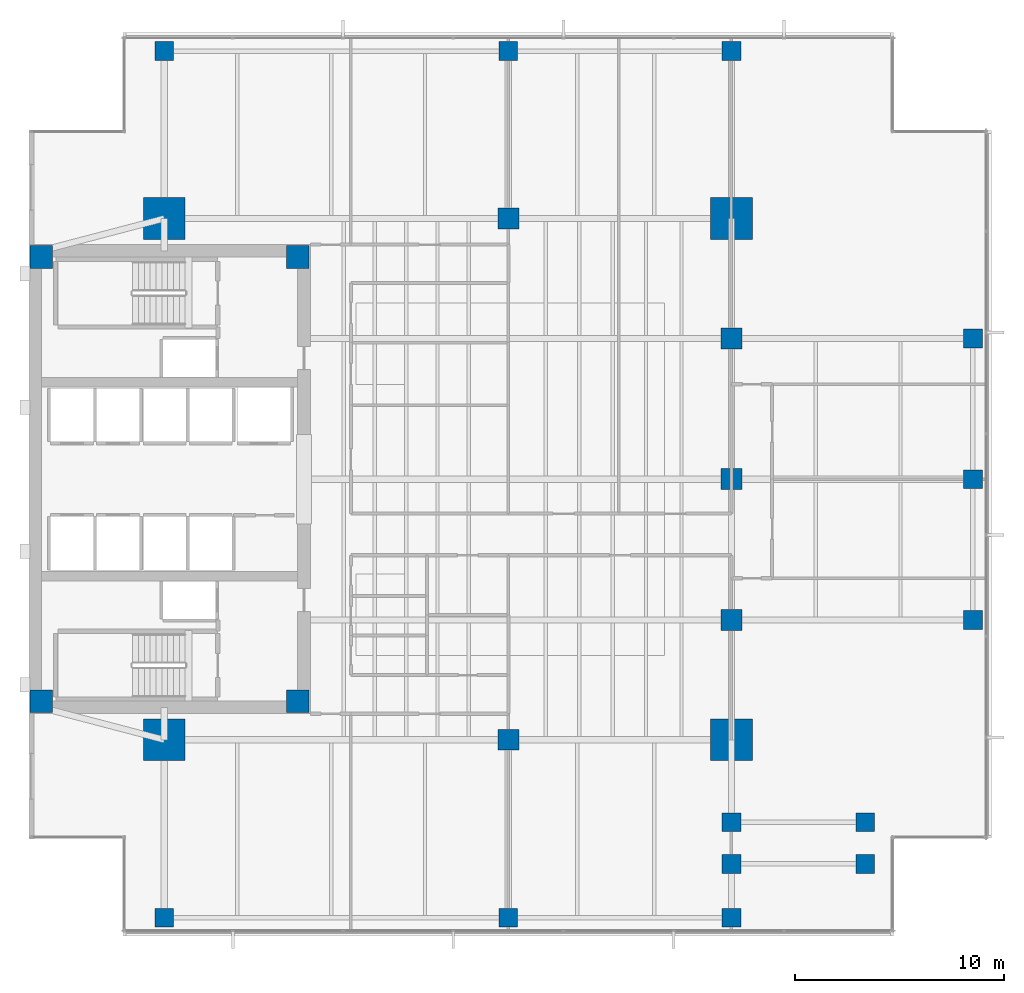
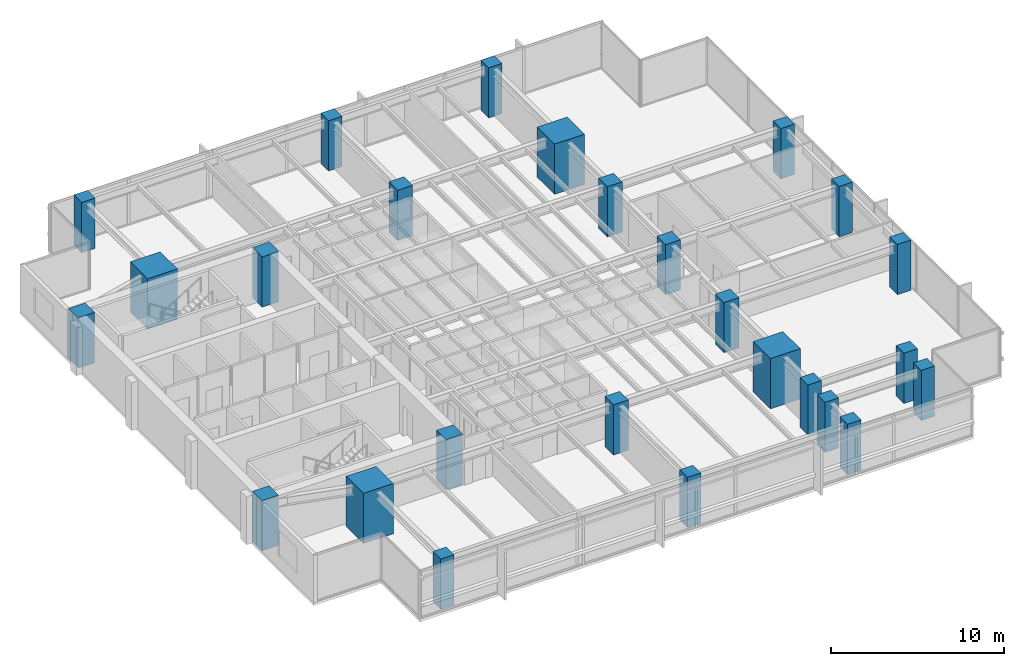
# One storey, part 1 of 15: 26 columns.
"""IFC4 building model written with IfcOpenShell, lengths in metres."""

from ifc_helpers import new_model, si_unit, direction, frame, origin, origin_2d, place, context, subcontext, project, spatial, rectangle, extrude, material, material_profile, profile_set, type_object, element, save


model = new_model("IFC4")

# Units and contexts
model_context = context("Model", 3, precision=1e-05, world=origin(), true_north=direction((0.0, 1.0)))
body_context = subcontext(model_context, "Body", "Model", "MODEL_VIEW")
ifc_project = project(units=[si_unit("LENGTHUNIT", "METRE"), si_unit("AREAUNIT", "SQUARE_METRE"), si_unit("VOLUMEUNIT", "CUBIC_METRE"), si_unit("PLANEANGLEUNIT", "RADIAN"), si_unit("MASSUNIT", "GRAM", prefix="KILO")], contexts=[model_context])

# Site, building, storey
site_placement = place(None, origin())
site = spatial("IfcSite", under=ifc_project, at=site_placement, CompositionType="ELEMENT")
building_placement = place(site_placement, origin())
building = spatial("IfcBuilding", under=site, at=building_placement, Name="Kinhvarn Gate Tower", CompositionType="ELEMENT")
storey_placement = place(building_placement, frame((0.0, 0.0, 169.699951171875)))
storey = spatial("IfcBuildingStorey", under=building, at=storey_placement, Name="L45", CompositionType="ELEMENT", Elevation=169.699951171875)

# Columns
ifc_material = material(Name="Concrete C60/75", Category="concrete")
ifc_material_profile_1 = material_profile(ifc_material, rectangle(XDim=2.0, YDim=2.0, at=origin_2d()), Name="RC 2000x2000")
ifc_profile_set_1 = profile_set([ifc_material_profile_1], Name="Concrete C60/75")
column_type_1 = type_object("IfcColumnType", Name="COL-MC-2000", PredefinedType="COLUMN", material=ifc_profile_set_1)
for number, where, z_axis, x_axis, name in (
    (1, (11.0, 12.75, 0.0), (0.0, 0.0, 1.0), (1.0, 0.0, 0.0), "Column MC1-L45 (MC-20)"),
    (2, (11.0, 37.75, 0.0), (0.0, 0.0, 1.0), (1.0, 0.0, 0.0), "Column MC4-L45 (MC-20)"),
    (3, (38.199951171875, 12.75, 0.0), (0.0, 0.0, 1.0), (1.0, 0.0, 0.0), "Column MC2-L45 (MC-20)"),
    (4, (38.199951171875, 37.75, 0.0), (0.0, 0.0, 1.0), (1.0, 0.0, 0.0), "Column MC3-L45 (MC-20)"),
):
    element("IfcColumn", number, at=place(storey_placement, frame(where, z_axis=z_axis, x_axis=x_axis)), inside=storey, type_object=column_type_1, Name=name, PredefinedType="COLUMN", context=body_context, shape_type="SweptSolid", body=[
        extrude(rectangle(XDim=2.0, YDim=2.0, at=origin_2d()), origin(), (0.0, 0.0, 1.0), 3.550048828125),
    ])
ifc_material_profile_2 = material_profile(ifc_material, rectangle(XDim=1.0, YDim=1.0, at=origin_2d()), Name="RC 1000x1000")
ifc_profile_set_2 = profile_set([ifc_material_profile_2], Name="Concrete C60/75")
column_type_2 = type_object("IfcColumnType", Name="COL-RC-1000", PredefinedType="COLUMN", material=ifc_profile_set_2)
for number, where, z_axis, x_axis, name in (
    (5, (27.5, 12.75, 0.0), (0.0, 0.0, 1.0), (1.0, 0.0, 0.0), "Column SP27-S-L45 (C-100)"),
    (6, (27.5, 37.75, 0.0), (0.0, 0.0, 1.0), (1.0, 0.0, 0.0), "Column SP27-N-L45 (C-100)"),
    (7, (38.199951171875, 18.5, 0.0), (0.0, 0.0, 1.0), (1.0, 0.0, 0.0), "Column SP38-E1-L45 (C-100)"),
    (8, (38.199951171875, 25.25, 0.0), (0.0, 0.0, 1.0), (1.0, 0.0, 0.0), "Column SP38-E2-L45 (C-100)"),
    (9, (38.199951171875, 32.0, 0.0), (0.0, 0.0, 1.0), (1.0, 0.0, 0.0), "Column SP38-E3-L45 (C-100)"),
):
    element("IfcColumn", number, at=place(storey_placement, frame(where, z_axis=z_axis, x_axis=x_axis)), inside=storey, type_object=column_type_2, Name=name, PredefinedType="COLUMN", context=body_context, shape_type="SweptSolid", body=[
        extrude(rectangle(XDim=1.0, YDim=1.0, at=origin_2d()), origin(), (0.0, 0.0, 1.0), 3.550048828125),
    ])
ifc_material_profile_3 = material_profile(ifc_material, rectangle(XDim=0.89990234375, YDim=0.89990234375, at=origin_2d()), Name="RC 900x900")
ifc_profile_set_3 = profile_set([ifc_material_profile_3], Name="Concrete C60/75")
column_type_3 = type_object("IfcColumnType", Name="COL-RC-900", PredefinedType="COLUMN", material=ifc_profile_set_3)
for number, where, z_axis, x_axis, name in (
    (10, (38.199951171875, 6.800048828125, 0.0), (0.0, 0.0, 1.0), (1.0, 0.0, 0.0), "Column CS-ANC68-L45 (C-090)"),
    (11, (38.199951171875, 8.800048828125, 0.0), (0.0, 0.0, 1.0), (1.0, 0.0, 0.0), "Column CS-ANC88-L45 (C-090)"),
    (12, (44.6201171875, 6.800048828125, 0.0), (0.0, 0.0, 1.0), (1.0, 0.0, 0.0), "Column CS-SE2-L45 (C-090)"),
    (13, (44.6201171875, 8.800048828125, 0.0), (0.0, 0.0, 1.0), (1.0, 0.0, 0.0), "Column CS-SE2B-L45 (C-090)"),
    (14, (49.780029296875, 18.5, 0.0), (0.0, 0.0, 1.0), (1.0, 0.0, 0.0), "Column CE-1-L45 (C-090)"),
    (15, (49.780029296875, 25.25, 0.0), (0.0, 0.0, 1.0), (1.0, 0.0, 0.0), "Column CE-2-L45 (C-090)"),
    (16, (49.780029296875, 32.0, 0.0), (0.0, 0.0, 1.0), (1.0, 0.0, 0.0), "Column CE-3-L45 (C-090)"),
    (17, (11.0, 4.219970703125, 0.0), (0.0, 0.0, 1.0), (1.0, 0.0, 0.0), "Column CS-0-L45 (C-090)"),
    (18, (27.5, 4.219970703125, 0.0), (0.0, 0.0, 1.0), (1.0, 0.0, 0.0), "Column CS-1-L45 (C-090)"),
    (19, (38.199951171875, 4.219970703125, 0.0), (0.0, 0.0, 1.0), (1.0, 0.0, 0.0), "Column CS-2-L45 (C-090)"),
    (20, (11.0, 45.780029296875, 0.0), (0.0, 0.0, 1.0), (1.0, 0.0, 0.0), "Column CN-0-L45 (C-090)"),
    (21, (27.5, 45.780029296875, 0.0), (0.0, 0.0, 1.0), (1.0, 0.0, 0.0), "Column CN-1-L45 (C-090)"),
    (22, (38.199951171875, 45.780029296875, 0.0), (0.0, 0.0, 1.0), (1.0, 0.0, 0.0), "Column CN-2-L45 (C-090)"),
):
    element("IfcColumn", number, at=place(storey_placement, frame(where, z_axis=z_axis, x_axis=x_axis)), inside=storey, type_object=column_type_3, Name=name, PredefinedType="COLUMN", context=body_context, shape_type="SweptSolid", body=[
        extrude(rectangle(XDim=0.89990234375, YDim=0.89990234375, at=origin_2d()), origin(), (0.0, 0.0, 1.0), 3.550048828125),
    ])
ifc_material_profile_4 = material_profile(ifc_material, rectangle(XDim=1.10009765625, YDim=1.10009765625, at=origin_2d()), Name="RC 1100x1100")
ifc_profile_set_4 = profile_set([ifc_material_profile_4], Name="Concrete C60/75")
column_type_4 = type_object("IfcColumnType", Name="PIL-RC-1100", PredefinedType="PILASTER", material=ifc_profile_set_4)
for number, where, z_axis, x_axis, name in (
    (23, (5.10009765625, 14.60009765625, 0.0), (0.0, 0.0, 1.0), (1.0, 0.0, 0.0), "Column CC-SW-L45 (CP-110)"),
    (24, (5.10009765625, 35.89990234375, 0.0), (0.0, 0.0, 1.0), (1.0, 0.0, 0.0), "Column CC-NW-L45 (CP-110)"),
    (25, (17.39990234375, 14.60009765625, 0.0), (0.0, 0.0, 1.0), (1.0, 0.0, 0.0), "Column CC-SE-L45 (CP-110)"),
    (26, (17.39990234375, 35.89990234375, 0.0), (0.0, 0.0, 1.0), (1.0, 0.0, 0.0), "Column CC-NE-L45 (CP-110)"),
):
    element("IfcColumn", number, at=place(storey_placement, frame(where, z_axis=z_axis, x_axis=x_axis)), inside=storey, type_object=column_type_4, Name=name, PredefinedType="PILASTER", context=body_context, shape_type="SweptSolid", body=[
        extrude(rectangle(XDim=1.10009765625, YDim=1.10009765625, at=origin_2d()), origin(), (0.0, 0.0, 1.0), 3.550048828125),
    ])

save(model, "model.ifc")
